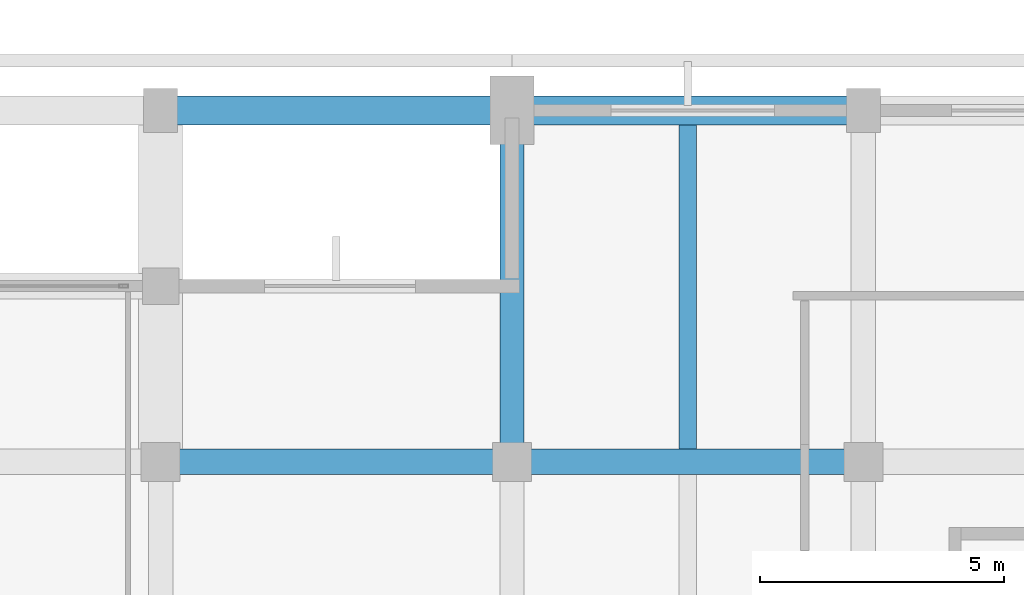
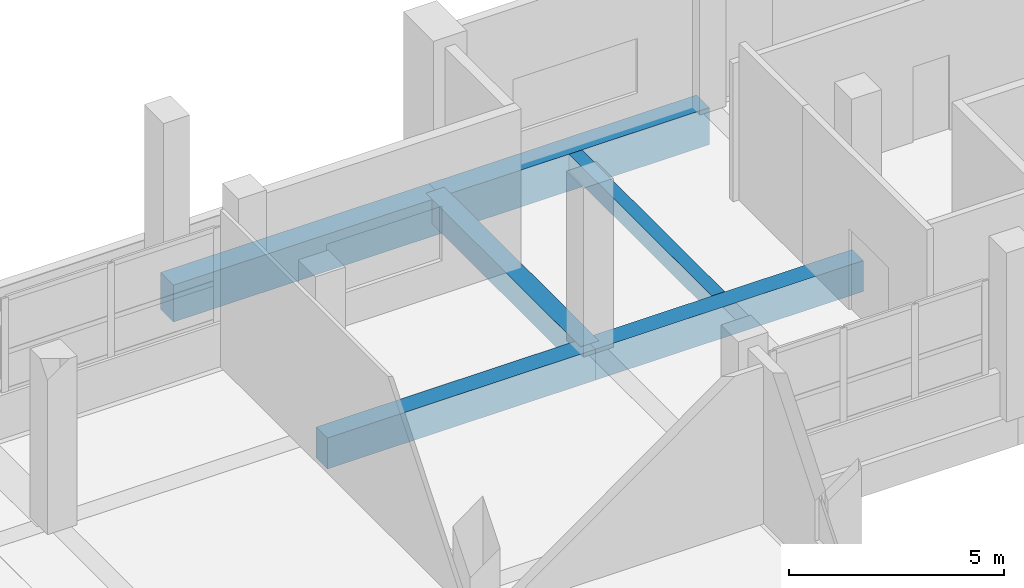
# One storey, part 64 of 140: 6 beams.
"""IFC4 building model written with IfcOpenShell, lengths in metres."""

from ifc_helpers import new_model, si_unit, direction, frame, origin, origin_2d, place, context, subcontext, project, spatial, rectangle, extrude, material, material_profile, profile_set, type_object, element, save


model = new_model("IFC4")

# Units and contexts
model_context = context("Model", 3, precision=1e-05, world=origin(), true_north=direction((0.0, 1.0)))
body_context = subcontext(model_context, "Body", "Model", "MODEL_VIEW")
ifc_project = project(units=[si_unit("LENGTHUNIT", "METRE"), si_unit("AREAUNIT", "SQUARE_METRE"), si_unit("VOLUMEUNIT", "CUBIC_METRE"), si_unit("PLANEANGLEUNIT", "RADIAN"), si_unit("MASSUNIT", "GRAM", prefix="KILO")], contexts=[model_context])

# Site, building, storey
site_placement = place(None, origin())
site = spatial("IfcSite", under=ifc_project, at=site_placement, CompositionType="ELEMENT")
building_placement = place(site_placement, origin())
building = spatial("IfcBuilding", under=site, at=building_placement, Name="Seraya Terrace Polytechnic", CompositionType="ELEMENT")
storey_placement = place(building_placement, frame((0.0, 0.0, 9.60009765625)))
storey = spatial("IfcBuildingStorey", under=building, at=storey_placement, Name="L02", CompositionType="ELEMENT", Elevation=9.60009765625)

# Beams
ifc_material = material(Name="Concrete C40/50", Category="concrete")
ifc_material_profile_1 = material_profile(ifc_material, rectangle(XDim=0.60009765625, YDim=1.050048828125, at=origin_2d()), Name="RC 600x1050")
ifc_profile_set_1 = profile_set([ifc_material_profile_1], Name="Concrete C40/50")
beam_type_1 = type_object("IfcBeamType", Name="BM-01", PredefinedType="BEAM", material=ifc_profile_set_1)
for number, where, z_axis, x_axis, name in (
    (1, (36.0, 79.199951171875, -0.525146484375), (1.0, 0.0, 0.0), (0.0, 1.0, 0.0), "Beam BM-01 L02 X (36.0..43.2, 79.2)"),
    (2, (43.199951171875, 79.199951171875, -0.525146484375), (1.0, 0.0, 0.0), (0.0, 1.0, 0.0), "Beam BM-01 L02 X (43.2..50.4, 79.2)"),
):
    element("IfcBeam", number, at=place(storey_placement, frame(where, z_axis=z_axis, x_axis=x_axis)), inside=storey, type_object=beam_type_1, Name=name, PredefinedType="BEAM", context=body_context, shape_type="SweptSolid", body=[
        extrude(rectangle(XDim=0.60009765625, YDim=1.050048828125, at=origin_2d()), origin(), (0.0, 0.0, 1.0), 7.199951171875),
    ])
ifc_material_profile_2 = material_profile(ifc_material, rectangle(XDim=0.52001953125, YDim=0.8798828125, at=origin_2d()), Name="RC 520x880")
ifc_profile_set_2 = profile_set([ifc_material_profile_2], Name="Concrete C40/50")
beam_type_2 = type_object("IfcBeamType", Name="BM-04", PredefinedType="BEAM", material=ifc_profile_set_2)
for number, where, z_axis, x_axis, name in (
    (3, (36.0, 72.0, -0.440185546875), (1.0, 0.0, 0.0), (0.0, 1.0, 0.0), "Beam BM-04 L02 X (36.0..43.2, 72.0)"),
    (4, (43.199951171875, 72.0, -0.440185546875), (1.0, 0.0, 0.0), (0.0, 1.0, 0.0), "Beam BM-04 L02 X (43.2..50.4, 72.0)"),
):
    element("IfcBeam", number, at=place(storey_placement, frame(where, z_axis=z_axis, x_axis=x_axis)), inside=storey, type_object=beam_type_2, Name=name, PredefinedType="BEAM", context=body_context, shape_type="SweptSolid", body=[
        extrude(rectangle(XDim=0.52001953125, YDim=0.8798828125, at=origin_2d()), origin(), (0.0, 0.0, 1.0), 7.199951171875),
    ])
ifc_material_profile_3 = material_profile(ifc_material, rectangle(XDim=0.5, YDim=0.699951171875, at=origin_2d()), Name="RC 500x700")
ifc_profile_set_3 = profile_set([ifc_material_profile_3], Name="Concrete C40/50")
beam_type_3 = type_object("IfcBeamType", Name="BM-07", PredefinedType="BEAM", material=ifc_profile_set_3)
beam_1_placement = place(storey_placement, frame((43.199951171875, 72.0, -0.35009765625), z_axis=(0.0, 1.0, 0.0), x_axis=(-1.0, 0.0, 0.0)))
element("IfcBeam", 5, at=beam_1_placement, inside=storey, type_object=beam_type_3, Name="Beam BM-07 L02 Y (43.2, 72.0..79.2)", PredefinedType="BEAM", context=body_context, shape_type="SweptSolid", body=[
    extrude(rectangle(XDim=0.5, YDim=0.699951171875, at=origin_2d()), origin(), (0.0, 0.0, 1.0), 7.199951171875),
])
ifc_material_profile_4 = material_profile(ifc_material, rectangle(XDim=0.35009765625, YDim=0.5, at=origin_2d()), Name="RC 350x500")
ifc_profile_set_4 = profile_set([ifc_material_profile_4], Name="Concrete C40/50")
beam_type_4 = type_object("IfcBeamType", Name="JS-03", PredefinedType="JOIST", material=ifc_profile_set_4)
beam_2_placement = place(storey_placement, frame((46.800048828125, 72.260009765625, -0.25), z_axis=(0.0, 1.0, 0.0), x_axis=(-1.0, 0.0, 0.0)))
element("IfcBeam", 6, at=beam_2_placement, inside=storey, type_object=beam_type_4, Name="Secondary joist JS-03 L02", PredefinedType="JOIST", context=body_context, shape_type="SweptSolid", body=[
    extrude(rectangle(XDim=0.35009765625, YDim=0.5, at=origin_2d()), origin(), (0.0, 0.0, 1.0), 6.639892578125),
])

save(model, "model.ifc")
